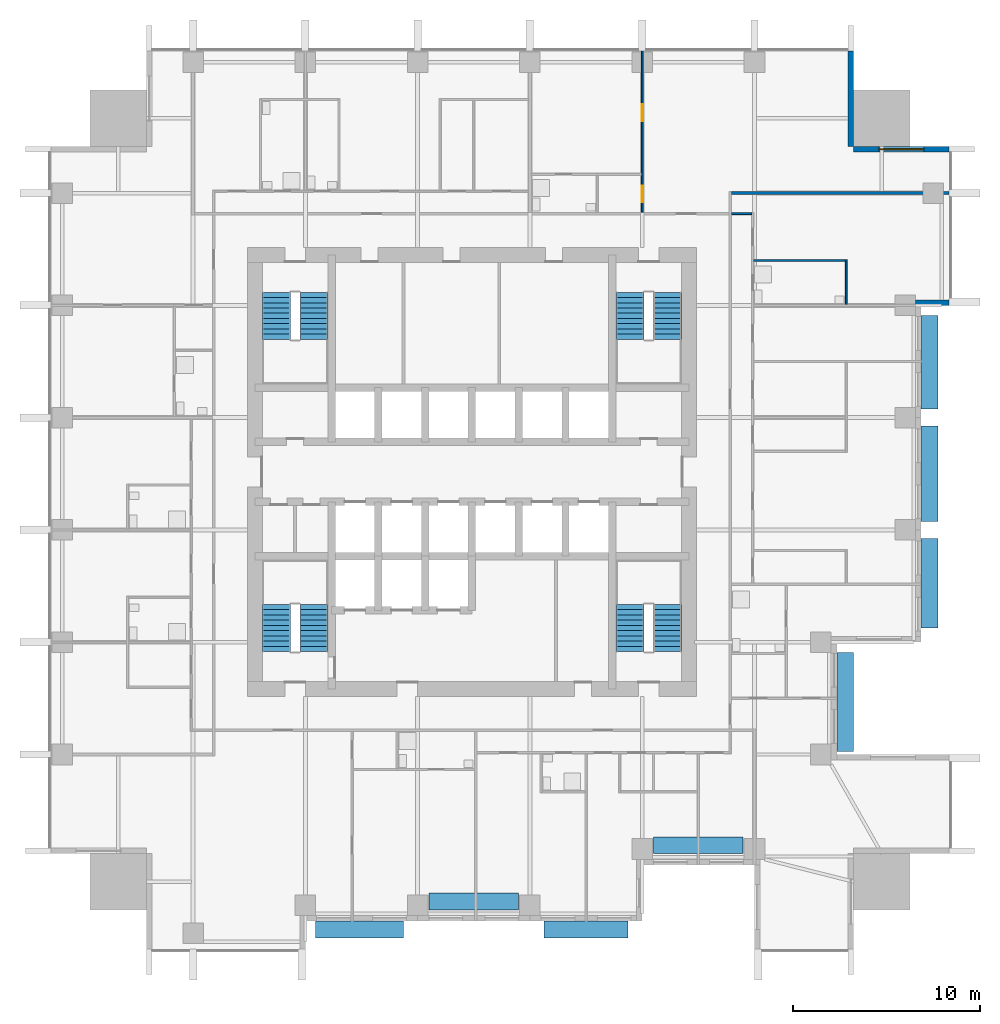
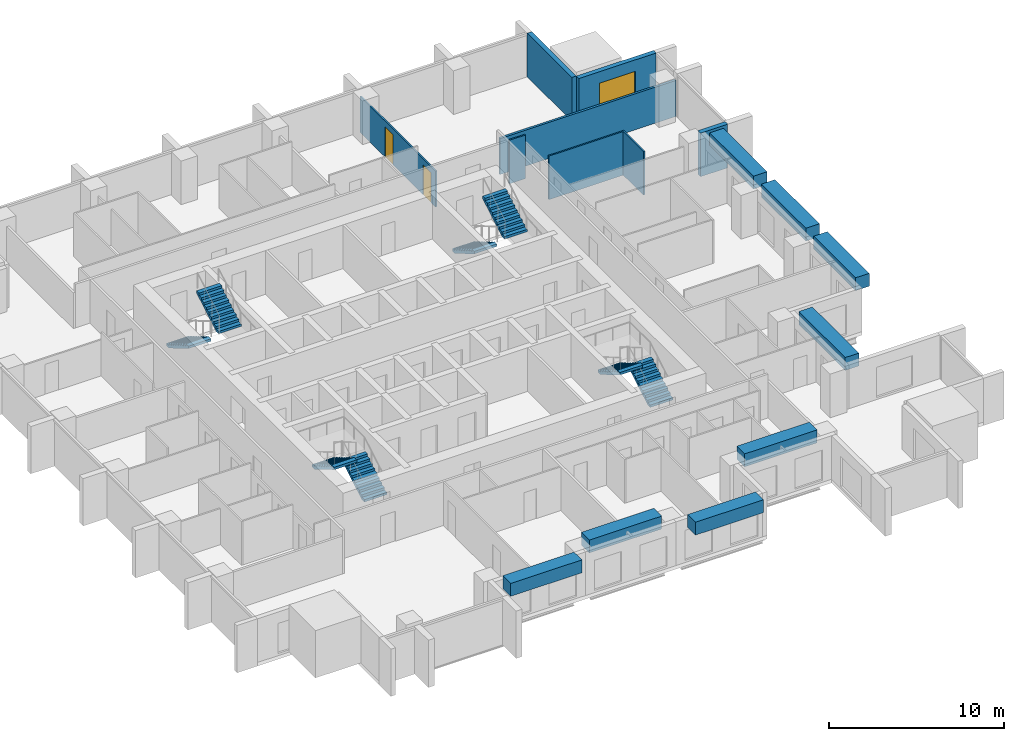
# One storey, part 8 of 10: 8 discrete accessories, 8 stair flights, 8 walls, 2 doors, 1 window, 3 openings, 4 elements without a shape of their own.
"""IFC4 building model written with IfcOpenShell, lengths in metres."""

import ifcopenshell
import ifcopenshell.guid

model = None  # the IFC model being written
_history = None  # IfcOwnerHistory: only IFC2X3 demands one
_inside = {}  # id of a spatial element -> (the spatial element, [elements in it])
_under = {}  # id of a project, library or spatial element -> (it, [spatial elements below it])
_declared = {}  # id of a project -> (the project, [libraries it declares])
_typed = {}  # id of a type object -> (the type object, [elements of that type])
_made_of = {}  # id of a material, layer set ... -> (it, [elements and type objects made of it])


def new_model(schema):
    """Start an empty IFC model of exactly this schema.

    Asked for "IFC4X3", IfcOpenShell would pick the latest addendum, in which some entities
    have other attributes; the version numbers below select the first issue.
    IFC2X3 requires an IfcOwnerHistory on every rooted entity: one is made here for all.
    """
    global model, _history
    if schema == "IFC4X3":
        model = ifcopenshell.file(schema_version=(4, 3, 0, 0))
    else:
        model = ifcopenshell.file(schema=schema)
    _inside.clear()
    _under.clear()
    _declared.clear()
    _typed.clear()
    _made_of.clear()
    _history = None
    if model.schema == "IFC2X3":
        org = make("IfcOrganization", Name="unknown")
        user = make(
            "IfcPersonAndOrganization",
            ThePerson=make("IfcPerson", FamilyName="unknown"),
            TheOrganization=org,
        )
        app = make(
            "IfcApplication",
            ApplicationDeveloper=org,
            Version="unknown",
            ApplicationFullName="unknown",
            ApplicationIdentifier="unknown",
        )
        _history = make(
            "IfcOwnerHistory",
            OwningUser=user,
            OwningApplication=app,
            ChangeAction="ADDED",
            CreationDate=0,
        )
    return model


def make(cls, **values):
    """One entity of the class cls with the attributes given. An attribute that is None is left unset."""
    return model.create_entity(
        cls, **{name: value for name, value in values.items() if value is not None}
    )


def rooted(cls, **values):
    """An entity with a GlobalId (a new one), such as an element, a storey or a relation."""
    return make(cls, GlobalId=ifcopenshell.guid.new(), OwnerHistory=_history, **values)


def si_unit(unit_type, name, prefix=None):
    """IfcSIUnit, for example si_unit("LENGTHUNIT", "METRE", prefix="MILLI")."""
    return make("IfcSIUnit", UnitType=unit_type, Prefix=prefix, Name=name)


def assignment(units):
    """IfcUnitAssignment: the units of a project."""
    return None if units is None else make("IfcUnitAssignment", Units=units)


def point(xyz):
    """IfcCartesianPoint."""
    return None if xyz is None else make("IfcCartesianPoint", Coordinates=xyz)


def direction(xyz):
    """IfcDirection."""
    return None if xyz is None else make("IfcDirection", DirectionRatios=xyz)


def frame(location, z_axis=None, x_axis=None):
    """IfcAxis2Placement3D, a coordinate frame: its origin and axes. An axis left out is left unset."""
    return make(
        "IfcAxis2Placement3D",
        Location=point(location),
        Axis=direction(z_axis),
        RefDirection=direction(x_axis),
    )


def frame_2d(location, x_axis=None):
    """IfcAxis2Placement2D, a coordinate frame in the plane: its origin and x axis."""
    return make(
        "IfcAxis2Placement2D", Location=point(location), RefDirection=direction(x_axis)
    )


def origin():
    """The frame at (0, 0, 0) with its axes left unset."""
    return frame((0.0, 0.0, 0.0))


def origin_2d():
    """The frame at (0, 0) in the plane with its x axis left unset."""
    return frame_2d((0.0, 0.0))


def place(relative_to, where):
    """IfcLocalPlacement: puts the frame where relative to a parent placement (None: the world)."""
    return make(
        "IfcLocalPlacement", PlacementRelTo=relative_to, RelativePlacement=where
    )


def context(
    kind, dimensions, precision=None, world=None, true_north=None, identifier=None
):
    """IfcGeometricRepresentationContext, for example the 3D "Model" context."""
    return make(
        "IfcGeometricRepresentationContext",
        ContextIdentifier=identifier,
        ContextType=kind,
        CoordinateSpaceDimension=dimensions,
        Precision=precision,
        WorldCoordinateSystem=world,
        TrueNorth=true_north,
    )


def subcontext(parent, identifier, kind, view, scale=None):
    """IfcGeometricRepresentationSubContext, for example "Body" below "Model"."""
    return make(
        "IfcGeometricRepresentationSubContext",
        ContextIdentifier=identifier,
        ContextType=kind,
        ParentContext=parent,
        TargetScale=scale,
        TargetView=view,
    )


def project(units=None, contexts=None):
    """IfcProject with its units and contexts."""
    return rooted(
        "IfcProject",
        Name="project",
        RepresentationContexts=contexts,
        UnitsInContext=assignment(units),
    )


def spatial(cls, under=None, at=None, **own):
    """A site, building, storey or space (cls), placed at a placement, below another one or the project."""
    s = rooted(cls, ObjectPlacement=at, **own)
    if under is not None:
        _under.setdefault(under.id(), (under, []))[1].append(s)
    return s


def polyline(points):
    """IfcPolyline through the points."""
    return make("IfcPolyline", Points=[point(p) for p in points])


def profile(cls, at=None, kind="AREA", **sizes):
    """A parametric profile (cls). Its sizes go by their IFC names, for example OverallWidth=200.0."""
    return make(cls, ProfileType=kind, Position=at, **sizes)


def rectangle(**sizes):
    """IfcRectangleProfileDef."""
    return profile("IfcRectangleProfileDef", **sizes)


def outline(outer, holes=None, kind="AREA"):
    """IfcArbitraryClosedProfileDef: a profile drawn as a closed curve; with holes, ...WithVoids."""
    if holes is None:
        return make("IfcArbitraryClosedProfileDef", ProfileType=kind, OuterCurve=outer)
    return make(
        "IfcArbitraryProfileDefWithVoids",
        ProfileType=kind,
        OuterCurve=outer,
        InnerCurves=holes,
    )


def extrude(swept, where, along, depth):
    """IfcExtrudedAreaSolid: the profile swept, set in the frame where, extruded along a direction by depth."""
    return make(
        "IfcExtrudedAreaSolid",
        SweptArea=swept,
        Position=where,
        ExtrudedDirection=direction(along),
        Depth=depth,
    )


def shape(context_of_items, identifier, shape_type, items):
    """IfcShapeRepresentation: the items that make up one representation, for example the "Body"."""
    return make(
        "IfcShapeRepresentation",
        ContextOfItems=context_of_items,
        RepresentationIdentifier=identifier,
        RepresentationType=shape_type,
        Items=items,
    )


def material(Name=None, Category=None):
    """IfcMaterial."""
    return make("IfcMaterial", Name=Name, Category=Category)


def layer(
    of_material, thickness, ventilated=None, Name=None, Category=None, Priority=None
):
    """IfcMaterialLayer: one layer of a wall or slab, of a material (None: an air gap)."""
    return make(
        "IfcMaterialLayer",
        Material=of_material,
        LayerThickness=thickness,
        IsVentilated=ventilated,
        Name=Name,
        Category=Category,
        Priority=Priority,
    )


def layer_set(layers, Name=None):
    """IfcMaterialLayerSet."""
    return make("IfcMaterialLayerSet", MaterialLayers=layers, LayerSetName=Name)


def made_of(thing, what):
    """Note that an element or type object is made of a material, layer set ...; save() writes the relation."""
    if what is not None:
        _made_of.setdefault(what.id(), (what, []))[1].append(thing)
    return thing


def type_object(cls, material=None, **own):
    """A type object (cls), such as IfcWallType, which elements share."""
    return made_of(rooted(cls, **own), material)


def element(
    cls,
    number,
    at=None,
    inside=None,
    cuts=None,
    type_object=None,
    material=None,
    context=None,
    identifier="Body",
    shape_type=None,
    held_by="IfcProductDefinitionShape",
    body=None,
    shapes=None,
    **own,
):
    """One element of the class cls, such as IfcWall. Its Tag is "e" and its number.

    at: its placement. inside: the storey or other place that contains it. cuts: it is an
    opening in that element (IfcRelVoidsElement). A single representation is given by context,
    identifier, shape_type and body (its items); several are given by shapes. held_by: the class
    of the entity that holds the representations. save() writes the other relations.
    """
    e = rooted(cls, Tag="e%d" % number, ObjectPlacement=at, **own)
    if body is not None:
        shapes = [shape(context, identifier, shape_type, body)]
    if shapes is not None:
        e.Representation = make(held_by, Representations=shapes)
    if inside is not None:
        _inside.setdefault(inside.id(), (inside, []))[1].append(e)
    if cuts is not None:
        rooted(
            "IfcRelVoidsElement", RelatingBuildingElement=cuts, RelatedOpeningElement=e
        )
    if type_object is not None:
        _typed.setdefault(type_object.id(), (type_object, []))[1].append(e)
    return made_of(e, material)


def fill(opening, filler):
    """IfcRelFillsElement: the door or window that sits in an opening."""
    return rooted(
        "IfcRelFillsElement",
        RelatingOpeningElement=opening,
        RelatedBuildingElement=filler,
    )


def aggregate(whole, parts):
    """IfcRelAggregates: a whole, such as a stair, and the parts it consists of."""
    return rooted("IfcRelAggregates", RelatingObject=whole, RelatedObjects=parts)


def save(model, path):
    """Write the relations noted so far, then the file.

    IfcRelAggregates (storeys below a building ...), IfcRelContainedInSpatialStructure (elements
    in a storey), IfcRelDefinesByType, IfcRelAssociatesMaterial and IfcRelDeclares: one each for
    every whole, place, type object, material and project.
    """
    for whole, parts in _under.values():
        aggregate(whole, parts)
    for where, things in _inside.values():
        rooted(
            "IfcRelContainedInSpatialStructure",
            RelatedElements=things,
            RelatingStructure=where,
        )
    for kind, things in _typed.values():
        rooted("IfcRelDefinesByType", RelatedObjects=things, RelatingType=kind)
    for what, things in _made_of.values():
        rooted("IfcRelAssociatesMaterial", RelatedObjects=things, RelatingMaterial=what)
    for by, libraries in _declared.values():
        rooted("IfcRelDeclares", RelatingContext=by, RelatedDefinitions=libraries)
    model.write(path)


model = new_model("IFC4")

# Units and contexts
model_context = context("Model", 3, precision=1e-05, world=origin(), true_north=direction((0.0, 1.0)))
body_context = subcontext(model_context, "Body", "Model", "MODEL_VIEW")
ifc_project = project(units=[si_unit("LENGTHUNIT", "METRE"), si_unit("AREAUNIT", "SQUARE_METRE"), si_unit("VOLUMEUNIT", "CUBIC_METRE"), si_unit("PLANEANGLEUNIT", "RADIAN"), si_unit("MASSUNIT", "GRAM", prefix="KILO")], contexts=[model_context])

# Site, building, storey
site_placement = place(None, origin())
site = spatial("IfcSite", under=ifc_project, at=site_placement, CompositionType="ELEMENT")
building_placement = place(site_placement, origin())
building = spatial("IfcBuilding", under=site, at=building_placement, Name="Amberfall Residences", CompositionType="ELEMENT")
storey_placement = place(building_placement, frame((0.0, 0.0, 85.300048828125)))
storey = spatial("IfcBuildingStorey", under=building, at=storey_placement, Name="L22", CompositionType="ELEMENT", Elevation=85.300048828125)

# Wall
ifc_material_1 = material(Name="Pale stone cladding on insulated backing", Category="masonry")
ifc_layer_1 = layer(ifc_material_1, 0.300048828125)
ifc_layer_set_1 = layer_set([ifc_layer_1], Name="Bronze clad wall 300")
wall_type_1 = type_object("IfcWallType", Name="Bronze clad wall 300", PredefinedType="SOLIDWALL", material=ifc_layer_set_1)
wall_1_placement = place(storey_placement, frame((98.199951171875, 54.550048828125, 0.0), z_axis=(0.0, 0.0, 1.0), x_axis=(1.0, 0.0, 0.0)))
element("IfcWall", 1, at=wall_1_placement, inside=storey, type_object=wall_type_1, Name="External wall L22 E", PredefinedType="SOLIDWALL", context=body_context, shape_type="SweptSolid", body=[
    extrude(rectangle(XDim=1.800048828125, YDim=0.300048828125, at=frame_2d((0.89990234375, 0.0))), origin(), (0.0, 0.0, 1.0), 3.050048828125),
])

# Wall, opening, window
wall_2_placement = place(storey_placement, frame((100.0, 62.75, 0.0), z_axis=(0.0, 0.0, 1.0), x_axis=(-1.0, 0.0, 0.0)))
wall_2 = element("IfcWall", 2, at=wall_2_placement, inside=storey, type_object=wall_type_1, Name="External wall L22 NE", PredefinedType="SOLIDWALL", context=body_context, shape_type="SweptSolid", body=[
    extrude(rectangle(XDim=5.10009765625, YDim=0.300048828125, at=frame_2d((2.550048828125, 0.0))), origin(), (0.0, 0.0, 1.0), 3.050048828125),
])
opening_1_placement = place(wall_2_placement, frame((1.35009765625, 0.0, 0.14990234375)))
opening_1 = element("IfcOpeningElement", 3, at=opening_1_placement, cuts=wall_2, Name="Opening WN5", PredefinedType="OPENING", context=body_context, shape_type="SweptSolid", body=[
    extrude(rectangle(XDim=2.39990234375, YDim=2.10009765625, at=frame_2d((1.199951171875, 1.050048828125))), frame((0.0, 0.159912109375, 0.0), z_axis=(0.0, -1.0, 0.0), x_axis=(1.0, 0.0, 0.0)), (0.0, 0.0, 1.0), 0.320068359375),
])
ifc_material_2 = material(Name="Bronze aluminium framed glazing", Category="aluminium")
window_type = type_object("IfcWindowType", Name="Glazed opening 2400 x 2100 bronze", PartitioningType="DOUBLE_PANEL_VERTICAL", PredefinedType="WINDOW", material=ifc_material_2)
window_placement = place(opening_1_placement, origin())
window = element("IfcWindow", 4, at=window_placement, inside=storey, type_object=window_type, Name="Window L22 NE", OverallHeight=2.10009765625, OverallWidth=2.39990234375, PartitioningType="DOUBLE_PANEL_VERTICAL", PredefinedType="WINDOW", context=body_context, shape_type="SweptSolid", body=[
    extrude(rectangle(XDim=2.39990234375, YDim=2.10009765625, at=frame_2d((1.199951171875, 1.050048828125))), frame((0.0, 0.030029296875, 0.0), z_axis=(0.0, -1.0, 0.0), x_axis=(1.0, 0.0, 0.0)), (0.0, 0.0, 1.0), 0.06005859375),
])
fill(opening_1, window)

# Wall
wall_3_placement = place(storey_placement, frame((94.75, 62.89990234375, 0.0), z_axis=(0.0, 0.0, 1.0), x_axis=(0.0, 1.0, 0.0)))
element("IfcWall", 5, at=wall_3_placement, inside=storey, type_object=wall_type_1, Name="External wall L22 NE", PredefinedType="SOLIDWALL", context=body_context, shape_type="SweptSolid", body=[
    extrude(rectangle(XDim=5.10009765625, YDim=0.300048828125, at=frame_2d((2.550048828125, 0.0))), origin(), (0.0, 0.0, 1.0), 3.050048828125),
])

# Wall, openings, doors
ifc_material_3 = material(Name="Gypsum board on metal stud")
ifc_layer_2 = layer(ifc_material_3, 0.10009765625)
ifc_layer_set_2 = layer_set([ifc_layer_2], Name="Flat partition 100")
wall_type_2 = type_object("IfcWallType", Name="Flat partition 100", PredefinedType="PARTITIONING", material=ifc_layer_set_2)
wall_4_placement = place(storey_placement, frame((83.60009765625, 59.375, 0.0), z_axis=(0.0, 0.0, 1.0), x_axis=(0.0, 1.0, 0.0)))
wall_4 = element("IfcWall", 6, at=wall_4_placement, inside=storey, type_object=wall_type_2, Name="Partition 017", PredefinedType="PARTITIONING", context=body_context, shape_type="SweptSolid", body=[
    extrude(rectangle(XDim=8.625, YDim=0.10009765625, at=frame_2d((4.3125, 0.0))), origin(), (0.0, 0.0, 1.0), 2.515869140625),
])
opening_2_placement = place(wall_4_placement, frame((0.52490234375, 0.0, 0.0)))
opening_2 = element("IfcOpeningElement", 7, at=opening_2_placement, cuts=wall_4, Name="Opening D41", PredefinedType="OPENING", context=body_context, shape_type="SweptSolid", body=[
    extrude(rectangle(XDim=0.89990234375, YDim=2.10009765625, at=frame_2d((0.449951171875, 1.050048828125))), frame((0.0, 0.06005859375, 0.0), z_axis=(0.0, -1.0, 0.0), x_axis=(1.0, 0.0, 0.0)), (0.0, 0.0, 1.0), 0.1201171875),
])
opening_3_placement = place(wall_4_placement, frame((4.875, 0.0, 0.0)))
opening_3 = element("IfcOpeningElement", 8, at=opening_3_placement, cuts=wall_4, Name="Opening D41", PredefinedType="OPENING", context=body_context, shape_type="SweptSolid", body=[
    extrude(rectangle(XDim=0.89990234375, YDim=2.10009765625, at=frame_2d((0.449951171875, 1.050048828125))), frame((0.0, 0.06005859375, 0.0), z_axis=(0.0, -1.0, 0.0), x_axis=(1.0, 0.0, 0.0)), (0.0, 0.0, 1.0), 0.1201171875),
])
ifc_material_4 = material(Name="Timber", Category="wood")
door_type = type_object("IfcDoorType", Name="Internal door 900 x 2100", OperationType="SINGLE_SWING_LEFT", PredefinedType="DOOR", material=ifc_material_4)
door_1_placement = place(opening_2_placement, origin())
door_1 = element("IfcDoor", 9, at=door_1_placement, inside=storey, type_object=door_type, Name="Door 2206 kitchen", OperationType="SINGLE_SWING_LEFT", OverallHeight=2.10009765625, OverallWidth=0.89990234375, PredefinedType="DOOR", context=body_context, shape_type="SweptSolid", body=[
    extrude(rectangle(XDim=0.89990234375, YDim=2.10009765625, at=frame_2d((0.449951171875, 1.050048828125))), frame((0.0, 0.02490234375, 0.0), z_axis=(0.0, -1.0, 0.0), x_axis=(1.0, 0.0, 0.0)), (0.0, 0.0, 1.0), 0.050048828125),
])
fill(opening_2, door_1)
door_2_placement = place(opening_3_placement, origin())
door_2 = element("IfcDoor", 10, at=door_2_placement, inside=storey, type_object=door_type, Name="Door 2206 bedroom1", OperationType="SINGLE_SWING_LEFT", OverallHeight=2.10009765625, OverallWidth=0.89990234375, PredefinedType="DOOR", context=body_context, shape_type="SweptSolid", body=[
    extrude(rectangle(XDim=0.89990234375, YDim=2.10009765625, at=frame_2d((0.449951171875, 1.050048828125))), frame((0.0, 0.02490234375, 0.0), z_axis=(0.0, -1.0, 0.0), x_axis=(1.0, 0.0, 0.0)), (0.0, 0.0, 1.0), 0.050048828125),
])
fill(opening_3, door_2)

# Walls
wall_5_placement = place(storey_placement, frame((94.5, 54.449951171875, 0.0), z_axis=(0.0, 0.0, 1.0), x_axis=(0.0, 1.0, 0.0)))
element("IfcWall", 11, at=wall_5_placement, inside=storey, type_object=wall_type_2, Name="Partition 025", PredefinedType="PARTITIONING", context=body_context, shape_type="SweptSolid", body=[
    extrude(rectangle(XDim=2.400146484375, YDim=0.10009765625, at=frame_2d((1.2001953125, 0.0))), origin(), (0.0, 0.0, 1.0), 3.050048828125),
])
wall_6_placement = place(storey_placement, frame((88.375, 59.300048828125, 0.0), z_axis=(0.0, 0.0, 1.0), x_axis=(1.0, 0.0, 0.0)))
element("IfcWall", 12, at=wall_6_placement, inside=storey, type_object=wall_type_2, Name="Partition 030", PredefinedType="PARTITIONING", context=body_context, shape_type="SweptSolid", body=[
    extrude(rectangle(XDim=1.074951171875, YDim=0.10009765625, at=frame_2d((0.53759765625, 0.0))), origin(), (0.0, 0.0, 1.0), 3.050048828125),
])
wall_7_placement = place(storey_placement, frame((89.550048828125, 56.800048828125, 0.0), z_axis=(0.0, 0.0, 1.0), x_axis=(1.0, 0.0, 0.0)))
element("IfcWall", 13, at=wall_7_placement, inside=storey, type_object=wall_type_2, Name="Partition 031", PredefinedType="PARTITIONING", context=body_context, shape_type="SweptSolid", body=[
    extrude(rectangle(XDim=4.89990234375, YDim=0.10009765625, at=frame_2d((2.449951171875, 0.0))), origin(), (0.0, 0.0, 1.0), 3.050048828125),
])
ifc_material_5 = material(Name="Blockwork, plastered", Category="masonry")
ifc_layer_3 = layer(ifc_material_5, 0.14990234375)
ifc_layer_set_3 = layer_set([ifc_layer_3], Name="Flat separating wall 150")
wall_type_3 = type_object("IfcWallType", Name="Flat separating wall 150", PredefinedType="PARTITIONING", material=ifc_layer_set_3)
wall_8_placement = place(storey_placement, frame((88.375, 60.39990234375, 0.0), z_axis=(0.0, 0.0, 1.0), x_axis=(1.0, 0.0, 0.0)))
element("IfcWall", 14, at=wall_8_placement, inside=storey, type_object=wall_type_3, Name="Separating wall 057", PredefinedType="PARTITIONING", context=body_context, shape_type="SweptSolid", body=[
    extrude(rectangle(XDim=11.625, YDim=0.14990234375, at=frame_2d((5.8125, 0.0))), origin(), (0.0, 0.0, 1.0), 2.515869140625),
])

# Stair, stair flights
ifc_material_6 = material(Name="Concrete C40", Category="concrete")
stair_type = type_object("IfcStairType", Name="Exit stair 20 risers 165.0 mm", PredefinedType="HALF_TURN_STAIR", material=ifc_material_6)
stair_1_placement = place(storey_placement, origin())
stair_1 = element("IfcStair", 15, at=stair_1_placement, inside=storey, type_object=stair_type, Name="L22 Exit stair 1", PredefinedType="HALF_TURN_STAIR")
stair_flight_type = type_object("IfcStairFlightType", Name="Stair flight 10 risers 165.0 mm", PredefinedType="STRAIGHT", material=ifc_material_6)
stair_flight_1_placement = place(storey_placement, frame((66.050048828125, 35.89990234375, 0.0), z_axis=(0.0, 0.0, 1.0), x_axis=(0.0, 1.0, 0.0)))
stair_flight_1 = element("IfcStairFlight", 16, at=stair_flight_1_placement, type_object=stair_flight_type, Name="ST3 flight 1", NumberOfRisers=10, NumberOfTreads=9, PredefinedType="STRAIGHT", RiserHeight=0.165, TreadLength=0.28, context=body_context, shape_type="SweptSolid", body=[
    extrude(outline(polyline([(0.0, 0.0), (0.0, 0.1650390625), (0.280029296875, 0.1650390625), (0.280029296875, 0.330078125), (0.56005859375, 0.330078125), (0.56005859375, 0.4951171875), (0.840087890625, 0.4951171875), (0.840087890625, 0.659912109375), (1.1201171875, 0.659912109375), (1.1201171875, 0.824951171875), (1.39990234375, 0.824951171875), (1.39990234375, 0.989990234375), (1.679931640625, 0.989990234375), (1.679931640625, 1.155029296875), (1.9599609375, 1.155029296875), (1.9599609375, 1.320068359375), (2.239990234375, 1.320068359375), (2.239990234375, 1.485107421875), (2.52001953125, 1.485107421875), (2.52001953125, 1.64990234375), (2.52001953125, 1.31103515625), (0.295166015625, 0.0), (0.0, 0.0)])), frame((0.0, 0.75, 0.0), z_axis=(0.0, -1.0, 0.0), x_axis=(1.0, 0.0, 0.0)), (0.0, 0.0, 1.0), 1.5),
])
stair_flight_2_placement = place(storey_placement, frame((64.050048828125, 38.419921875, 1.64990234375), z_axis=(0.0, 0.0, 1.0), x_axis=(0.0, -1.0, 0.0)))
stair_flight_2 = element("IfcStairFlight", 17, at=stair_flight_2_placement, type_object=stair_flight_type, Name="ST3 flight 2", NumberOfRisers=10, NumberOfTreads=9, PredefinedType="STRAIGHT", RiserHeight=0.165, TreadLength=0.28, context=body_context, shape_type="SweptSolid", body=[
    extrude(outline(polyline([(0.0, 0.0), (0.0, 0.1650390625), (0.280029296875, 0.1650390625), (0.280029296875, 0.330078125), (0.56005859375, 0.330078125), (0.56005859375, 0.4951171875), (0.840087890625, 0.4951171875), (0.840087890625, 0.659912109375), (1.1201171875, 0.659912109375), (1.1201171875, 0.824951171875), (1.39990234375, 0.824951171875), (1.39990234375, 0.989990234375), (1.679931640625, 0.989990234375), (1.679931640625, 1.155029296875), (1.9599609375, 1.155029296875), (1.9599609375, 1.320068359375), (2.239990234375, 1.320068359375), (2.239990234375, 1.485107421875), (2.52001953125, 1.485107421875), (2.52001953125, 1.64990234375), (2.52001953125, 1.31103515625), (0.295166015625, 0.0), (0.0, 0.0)])), frame((0.0, 0.75, 0.0), z_axis=(0.0, -1.0, 0.0), x_axis=(1.0, 0.0, 0.0)), (0.0, 0.0, 1.0), 1.5),
])
aggregate(stair_1, [stair_flight_1, stair_flight_2])

stair_2_placement = place(storey_placement, origin())
stair_2 = element("IfcStair", 18, at=stair_2_placement, inside=storey, type_object=stair_type, Name="L22 Exit stair 2", PredefinedType="HALF_TURN_STAIR")
stair_flight_3_placement = place(storey_placement, frame((84.949951171875, 35.89990234375, 0.0), z_axis=(0.0, 0.0, 1.0), x_axis=(0.0, 1.0, 0.0)))
stair_flight_3 = element("IfcStairFlight", 19, at=stair_flight_3_placement, type_object=stair_flight_type, Name="ST3 flight 1", NumberOfRisers=10, NumberOfTreads=9, PredefinedType="STRAIGHT", RiserHeight=0.165, TreadLength=0.28, context=body_context, shape_type="SweptSolid", body=[
    extrude(outline(polyline([(0.0, 0.0), (0.0, 0.1650390625), (0.280029296875, 0.1650390625), (0.280029296875, 0.330078125), (0.56005859375, 0.330078125), (0.56005859375, 0.4951171875), (0.840087890625, 0.4951171875), (0.840087890625, 0.659912109375), (1.1201171875, 0.659912109375), (1.1201171875, 0.824951171875), (1.39990234375, 0.824951171875), (1.39990234375, 0.989990234375), (1.679931640625, 0.989990234375), (1.679931640625, 1.155029296875), (1.9599609375, 1.155029296875), (1.9599609375, 1.320068359375), (2.239990234375, 1.320068359375), (2.239990234375, 1.485107421875), (2.52001953125, 1.485107421875), (2.52001953125, 1.64990234375), (2.52001953125, 1.31103515625), (0.295166015625, 0.0), (0.0, 0.0)])), frame((0.0, 0.75, 0.0), z_axis=(0.0, -1.0, 0.0), x_axis=(1.0, 0.0, 0.0)), (0.0, 0.0, 1.0), 1.5),
])
stair_flight_4_placement = place(storey_placement, frame((82.949951171875, 38.419921875, 1.64990234375), z_axis=(0.0, 0.0, 1.0), x_axis=(0.0, -1.0, 0.0)))
stair_flight_4 = element("IfcStairFlight", 20, at=stair_flight_4_placement, type_object=stair_flight_type, Name="ST3 flight 2", NumberOfRisers=10, NumberOfTreads=9, PredefinedType="STRAIGHT", RiserHeight=0.165, TreadLength=0.28, context=body_context, shape_type="SweptSolid", body=[
    extrude(outline(polyline([(0.0, 0.0), (0.0, 0.1650390625), (0.280029296875, 0.1650390625), (0.280029296875, 0.330078125), (0.56005859375, 0.330078125), (0.56005859375, 0.4951171875), (0.840087890625, 0.4951171875), (0.840087890625, 0.659912109375), (1.1201171875, 0.659912109375), (1.1201171875, 0.824951171875), (1.39990234375, 0.824951171875), (1.39990234375, 0.989990234375), (1.679931640625, 0.989990234375), (1.679931640625, 1.155029296875), (1.9599609375, 1.155029296875), (1.9599609375, 1.320068359375), (2.239990234375, 1.320068359375), (2.239990234375, 1.485107421875), (2.52001953125, 1.485107421875), (2.52001953125, 1.64990234375), (2.52001953125, 1.31103515625), (0.295166015625, 0.0), (0.0, 0.0)])), frame((0.0, 0.75, 0.0), z_axis=(0.0, -1.0, 0.0), x_axis=(1.0, 0.0, 0.0)), (0.0, 0.0, 1.0), 1.5),
])
aggregate(stair_2, [stair_flight_3, stair_flight_4])

stair_3_placement = place(storey_placement, origin())
stair_3 = element("IfcStair", 21, at=stair_3_placement, inside=storey, type_object=stair_type, Name="L22 Exit stair 3", PredefinedType="HALF_TURN_STAIR")
stair_flight_5_placement = place(storey_placement, frame((82.949951171875, 55.10009765625, 0.0), z_axis=(0.0, 0.0, 1.0), x_axis=(0.0, -1.0, 0.0)))
stair_flight_5 = element("IfcStairFlight", 22, at=stair_flight_5_placement, type_object=stair_flight_type, Name="ST3 flight 1", NumberOfRisers=10, NumberOfTreads=9, PredefinedType="STRAIGHT", RiserHeight=0.165, TreadLength=0.28, context=body_context, shape_type="SweptSolid", body=[
    extrude(outline(polyline([(0.0, 0.0), (0.0, 0.1650390625), (0.280029296875, 0.1650390625), (0.280029296875, 0.330078125), (0.56005859375, 0.330078125), (0.56005859375, 0.4951171875), (0.840087890625, 0.4951171875), (0.840087890625, 0.659912109375), (1.1201171875, 0.659912109375), (1.1201171875, 0.824951171875), (1.39990234375, 0.824951171875), (1.39990234375, 0.989990234375), (1.679931640625, 0.989990234375), (1.679931640625, 1.155029296875), (1.9599609375, 1.155029296875), (1.9599609375, 1.320068359375), (2.239990234375, 1.320068359375), (2.239990234375, 1.485107421875), (2.52001953125, 1.485107421875), (2.52001953125, 1.64990234375), (2.52001953125, 1.31103515625), (0.295166015625, 0.0), (0.0, 0.0)])), frame((0.0, 0.75, 0.0), z_axis=(0.0, -1.0, 0.0), x_axis=(1.0, 0.0, 0.0)), (0.0, 0.0, 1.0), 1.5),
])
stair_flight_6_placement = place(storey_placement, frame((84.949951171875, 52.580078125, 1.64990234375), z_axis=(0.0, 0.0, 1.0), x_axis=(0.0, 1.0, 0.0)))
stair_flight_6 = element("IfcStairFlight", 23, at=stair_flight_6_placement, type_object=stair_flight_type, Name="ST3 flight 2", NumberOfRisers=10, NumberOfTreads=9, PredefinedType="STRAIGHT", RiserHeight=0.165, TreadLength=0.28, context=body_context, shape_type="SweptSolid", body=[
    extrude(outline(polyline([(0.0, 0.0), (0.0, 0.1650390625), (0.280029296875, 0.1650390625), (0.280029296875, 0.330078125), (0.56005859375, 0.330078125), (0.56005859375, 0.4951171875), (0.840087890625, 0.4951171875), (0.840087890625, 0.659912109375), (1.1201171875, 0.659912109375), (1.1201171875, 0.824951171875), (1.39990234375, 0.824951171875), (1.39990234375, 0.989990234375), (1.679931640625, 0.989990234375), (1.679931640625, 1.155029296875), (1.9599609375, 1.155029296875), (1.9599609375, 1.320068359375), (2.239990234375, 1.320068359375), (2.239990234375, 1.485107421875), (2.52001953125, 1.485107421875), (2.52001953125, 1.64990234375), (2.52001953125, 1.31103515625), (0.295166015625, 0.0), (0.0, 0.0)])), frame((0.0, 0.75, 0.0), z_axis=(0.0, -1.0, 0.0), x_axis=(1.0, 0.0, 0.0)), (0.0, 0.0, 1.0), 1.5),
])
aggregate(stair_3, [stair_flight_5, stair_flight_6])

stair_4_placement = place(storey_placement, origin())
stair_4 = element("IfcStair", 24, at=stair_4_placement, inside=storey, type_object=stair_type, Name="L22 Exit stair 4", PredefinedType="HALF_TURN_STAIR")
stair_flight_7_placement = place(storey_placement, frame((64.050048828125, 55.10009765625, 0.0), z_axis=(0.0, 0.0, 1.0), x_axis=(0.0, -1.0, 0.0)))
stair_flight_7 = element("IfcStairFlight", 25, at=stair_flight_7_placement, type_object=stair_flight_type, Name="ST3 flight 1", NumberOfRisers=10, NumberOfTreads=9, PredefinedType="STRAIGHT", RiserHeight=0.165, TreadLength=0.28, context=body_context, shape_type="SweptSolid", body=[
    extrude(outline(polyline([(0.0, 0.0), (0.0, 0.1650390625), (0.280029296875, 0.1650390625), (0.280029296875, 0.330078125), (0.56005859375, 0.330078125), (0.56005859375, 0.4951171875), (0.840087890625, 0.4951171875), (0.840087890625, 0.659912109375), (1.1201171875, 0.659912109375), (1.1201171875, 0.824951171875), (1.39990234375, 0.824951171875), (1.39990234375, 0.989990234375), (1.679931640625, 0.989990234375), (1.679931640625, 1.155029296875), (1.9599609375, 1.155029296875), (1.9599609375, 1.320068359375), (2.239990234375, 1.320068359375), (2.239990234375, 1.485107421875), (2.52001953125, 1.485107421875), (2.52001953125, 1.64990234375), (2.52001953125, 1.31103515625), (0.295166015625, 0.0), (0.0, 0.0)])), frame((0.0, 0.75, 0.0), z_axis=(0.0, -1.0, 0.0), x_axis=(1.0, 0.0, 0.0)), (0.0, 0.0, 1.0), 1.5),
])
stair_flight_8_placement = place(storey_placement, frame((66.050048828125, 52.580078125, 1.64990234375), z_axis=(0.0, 0.0, 1.0), x_axis=(0.0, 1.0, 0.0)))
stair_flight_8 = element("IfcStairFlight", 26, at=stair_flight_8_placement, type_object=stair_flight_type, Name="ST3 flight 2", NumberOfRisers=10, NumberOfTreads=9, PredefinedType="STRAIGHT", RiserHeight=0.165, TreadLength=0.28, context=body_context, shape_type="SweptSolid", body=[
    extrude(outline(polyline([(0.0, 0.0), (0.0, 0.1650390625), (0.280029296875, 0.1650390625), (0.280029296875, 0.330078125), (0.56005859375, 0.330078125), (0.56005859375, 0.4951171875), (0.840087890625, 0.4951171875), (0.840087890625, 0.659912109375), (1.1201171875, 0.659912109375), (1.1201171875, 0.824951171875), (1.39990234375, 0.824951171875), (1.39990234375, 0.989990234375), (1.679931640625, 0.989990234375), (1.679931640625, 1.155029296875), (1.9599609375, 1.155029296875), (1.9599609375, 1.320068359375), (2.239990234375, 1.320068359375), (2.239990234375, 1.485107421875), (2.52001953125, 1.485107421875), (2.52001953125, 1.64990234375), (2.52001953125, 1.31103515625), (0.295166015625, 0.0), (0.0, 0.0)])), frame((0.0, 0.75, 0.0), z_axis=(0.0, -1.0, 0.0), x_axis=(1.0, 0.0, 0.0)), (0.0, 0.0, 1.0), 1.5),
])
aggregate(stair_4, [stair_flight_7, stair_flight_8])

# Discrete accessories
discrete_accessory_1_placement = place(storey_placement, frame((98.949951171875, 51.35498046875, 2.39990234375), z_axis=(0.0, 0.0, 1.0), x_axis=(0.0, 1.0, 0.0)))
element("IfcDiscreteAccessory", 27, at=discrete_accessory_1_placement, inside=storey, Name="Planter box L23 E7", ObjectType="PLANTER BOX", PredefinedType="USERDEFINED", context=body_context, shape_type="SweptSolid", body=[
    extrude(rectangle(XDim=5.010009765625, YDim=0.89990234375, at=origin_2d()), origin(), (0.0, 0.0, 1.0), 0.89990234375),
])
discrete_accessory_2_placement = place(storey_placement, frame((94.449951171875, 33.205078125, 2.39990234375), z_axis=(0.0, 0.0, 1.0), x_axis=(0.0, 1.0, 0.0)))
element("IfcDiscreteAccessory", 28, at=discrete_accessory_2_placement, inside=storey, Name="Planter box L23 E3", ObjectType="PLANTER BOX", PredefinedType="USERDEFINED", context=body_context, shape_type="SweptSolid", body=[
    extrude(rectangle(XDim=5.31005859375, YDim=0.89990234375, at=origin_2d()), origin(), (0.0, 0.0, 1.0), 0.89990234375),
])
discrete_accessory_3_placement = place(storey_placement, frame((98.949951171875, 39.550048828125, 2.39990234375), z_axis=(0.0, 0.0, 1.0), x_axis=(0.0, 1.0, 0.0)))
element("IfcDiscreteAccessory", 29, at=discrete_accessory_3_placement, inside=storey, Name="Planter box L23 E5", ObjectType="PLANTER BOX", PredefinedType="USERDEFINED", context=body_context, shape_type="SweptSolid", body=[
    extrude(rectangle(XDim=4.800048828125, YDim=0.89990234375, at=origin_2d()), origin(), (0.0, 0.0, 1.0), 0.89990234375),
])
discrete_accessory_4_placement = place(storey_placement, frame((98.949951171875, 45.39990234375, 2.39990234375), z_axis=(0.0, 0.0, 1.0), x_axis=(0.0, 1.0, 0.0)))
element("IfcDiscreteAccessory", 30, at=discrete_accessory_4_placement, inside=storey, Name="Planter box L23 E6", ObjectType="PLANTER BOX", PredefinedType="USERDEFINED", context=body_context, shape_type="SweptSolid", body=[
    extrude(rectangle(XDim=5.10009765625, YDim=0.89990234375, at=origin_2d()), origin(), (0.0, 0.0, 1.0), 0.89990234375),
])
discrete_accessory_5_placement = place(storey_placement, frame((68.4951171875, 21.050048828125, 2.39990234375), z_axis=(0.0, 0.0, 1.0), x_axis=(1.0, 0.0, 0.0)))
element("IfcDiscreteAccessory", 31, at=discrete_accessory_5_placement, inside=storey, Name="Planter box L23 S3", ObjectType="PLANTER BOX", PredefinedType="USERDEFINED", context=body_context, shape_type="SweptSolid", body=[
    extrude(rectangle(XDim=4.7099609375, YDim=0.89990234375, at=origin_2d()), origin(), (0.0, 0.0, 1.0), 0.89990234375),
])
discrete_accessory_6_placement = place(storey_placement, frame((74.60009765625, 22.550048828125, 2.39990234375), z_axis=(0.0, 0.0, 1.0), x_axis=(1.0, 0.0, 0.0)))
element("IfcDiscreteAccessory", 32, at=discrete_accessory_6_placement, inside=storey, Name="Planter box L23 S5", ObjectType="PLANTER BOX", PredefinedType="USERDEFINED", context=body_context, shape_type="SweptSolid", body=[
    extrude(rectangle(XDim=4.780029296875, YDim=0.89990234375, at=origin_2d()), origin(), (0.0, 0.0, 1.0), 0.89990234375),
])
discrete_accessory_7_placement = place(storey_placement, frame((80.60009765625, 21.050048828125, 2.39990234375), z_axis=(0.0, 0.0, 1.0), x_axis=(1.0, 0.0, 0.0)))
element("IfcDiscreteAccessory", 33, at=discrete_accessory_7_placement, inside=storey, Name="Planter box L23 S7", ObjectType="PLANTER BOX", PredefinedType="USERDEFINED", context=body_context, shape_type="SweptSolid", body=[
    extrude(rectangle(XDim=4.5, YDim=0.89990234375, at=origin_2d()), origin(), (0.0, 0.0, 1.0), 0.89990234375),
])
discrete_accessory_8_placement = place(storey_placement, frame((86.60009765625, 25.550048828125, 2.39990234375), z_axis=(0.0, 0.0, 1.0), x_axis=(1.0, 0.0, 0.0)))
element("IfcDiscreteAccessory", 34, at=discrete_accessory_8_placement, inside=storey, Name="Planter box L23 S9", ObjectType="PLANTER BOX", PredefinedType="USERDEFINED", context=body_context, shape_type="SweptSolid", body=[
    extrude(rectangle(XDim=4.780029296875, YDim=0.89990234375, at=origin_2d()), origin(), (0.0, 0.0, 1.0), 0.89990234375),
])

save(model, "model.ifc")
